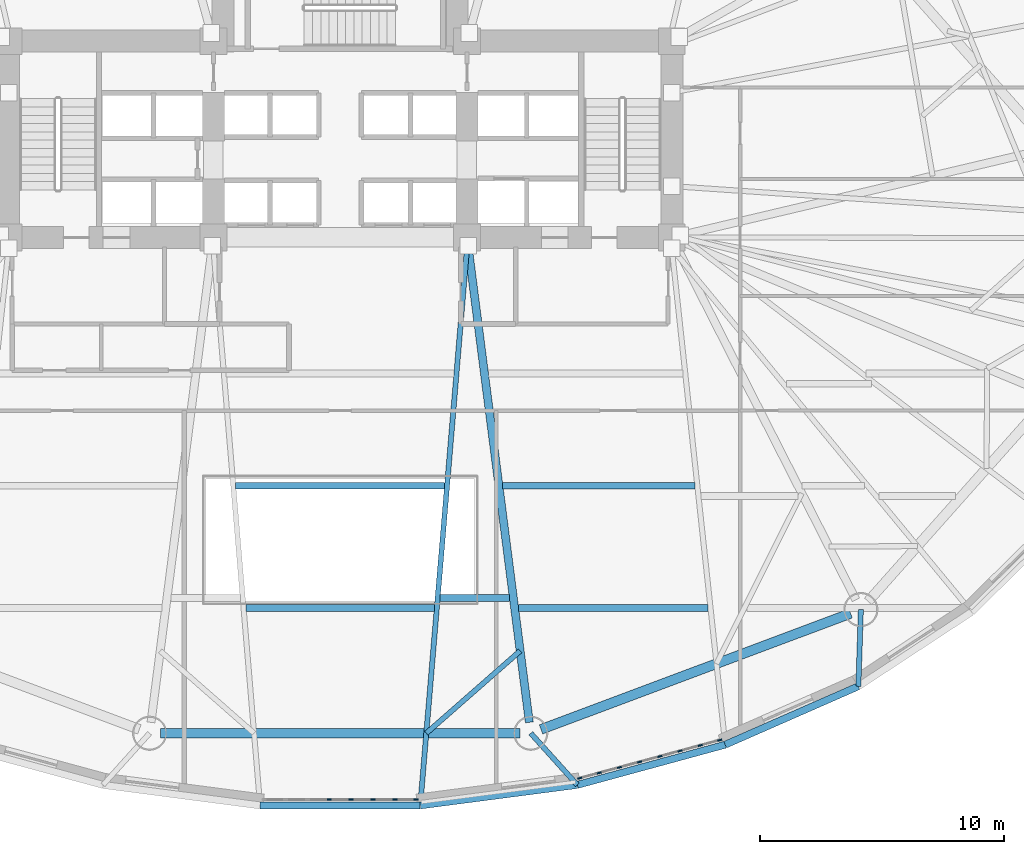
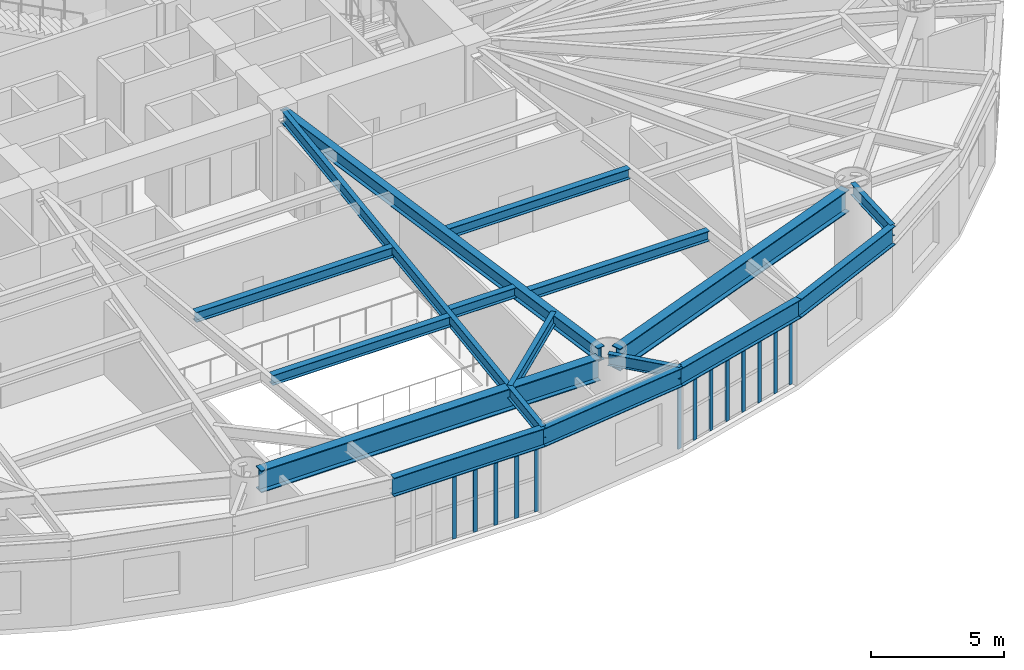
# One storey, part 4 of 19: 16 beams, 13 members, 2 elements without a shape of their own.
"""IFC4 building model written with IfcOpenShell, lengths in metres."""

from ifc_helpers import new_model, si_unit, direction, frame, origin, origin_2d, place, context, subcontext, project, spatial, rectangle, i_section, extrude, material, layer, layer_set, material_profile, profile_set, type_object, element, aggregate, save


model = new_model("IFC4")

# Units and contexts
model_context = context("Model", 3, precision=1e-05, world=origin(), true_north=direction((0.0, 1.0)))
body_context = subcontext(model_context, "Body", "Model", "MODEL_VIEW")
ifc_project = project(units=[si_unit("LENGTHUNIT", "METRE"), si_unit("AREAUNIT", "SQUARE_METRE"), si_unit("VOLUMEUNIT", "CUBIC_METRE"), si_unit("PLANEANGLEUNIT", "RADIAN"), si_unit("MASSUNIT", "GRAM", prefix="KILO")], contexts=[model_context])

# Site, building, storey
site_placement = place(None, origin())
site = spatial("IfcSite", under=ifc_project, at=site_placement, CompositionType="ELEMENT")
building_placement = place(site_placement, origin())
building = spatial("IfcBuilding", under=site, at=building_placement, Name="Keldmark Tower", CompositionType="ELEMENT")
storey_placement = place(building_placement, frame((0.0, 0.0, 10.199951171875)))
storey = spatial("IfcBuildingStorey", under=building, at=storey_placement, Name="L02", CompositionType="ELEMENT", Elevation=10.199951171875)

# Beams
ifc_material_1 = material(Name="Steel ASTM A992 Grade 50", Category="steel")
ifc_material_profile_1 = material_profile(ifc_material_1, i_section(OverallWidth=0.280029296875, OverallDepth=0.462890625, WebThickness=0.0107421875, FlangeThickness=0.017333984375, at=origin_2d()), Name="W18X76")
ifc_profile_set_1 = profile_set([ifc_material_profile_1], Name="Steel ASTM A992 Grade 50")
beam_type_1 = type_object("IfcBeamType", Name="Composite Floor Joist W18X76", PredefinedType="JOIST", material=ifc_profile_set_1)
beam_1_placement = place(storey_placement, frame((-3.8662109375, -13.800048828125, 3.74853515625), z_axis=(1.0, 0.0, 0.0), x_axis=(0.0, 1.0, 0.0)))
element("IfcBeam", 1, at=beam_1_placement, inside=storey, type_object=beam_type_1, Name="L02 Composite Floor Joist J04", PredefinedType="JOIST", context=body_context, shape_type="SweptSolid", body=[
    extrude(i_section(OverallWidth=0.280029296875, OverallDepth=0.462890625, WebThickness=0.0107421875, FlangeThickness=0.017333984375, at=origin_2d()), origin(), (0.0, 0.0, 1.0), 7.732421875),
])
beam_2_placement = place(storey_placement, frame((4.09423828125, -13.3798828125, 3.74853515625), z_axis=(1.0, 0.0, 0.0), x_axis=(0.0, 1.0, 0.0)))
element("IfcBeam", 2, at=beam_2_placement, inside=storey, type_object=beam_type_1, Name="L02 Composite Floor Joist J05", PredefinedType="JOIST", context=body_context, shape_type="SweptSolid", body=[
    extrude(i_section(OverallWidth=0.280029296875, OverallDepth=0.462890625, WebThickness=0.0107421875, FlangeThickness=0.017333984375, at=origin_2d()), origin(), (0.0, 0.0, 1.0), 2.851806640625),
])
beam_3_placement = place(storey_placement, frame((7.311767578125, -13.800048828125, 3.74853515625), z_axis=(1.0, 0.0, 0.0), x_axis=(0.0, 1.0, 0.0)))
element("IfcBeam", 3, at=beam_3_placement, inside=storey, type_object=beam_type_1, Name="L02 Composite Floor Joist J06", PredefinedType="JOIST", context=body_context, shape_type="SweptSolid", body=[
    extrude(i_section(OverallWidth=0.280029296875, OverallDepth=0.462890625, WebThickness=0.0107421875, FlangeThickness=0.017333984375, at=origin_2d()), origin(), (0.0, 0.0, 1.0), 7.780029296875),
])
beam_4_placement = place(storey_placement, frame((-4.287353515625, -8.780029296875, 3.74853515625), z_axis=(1.0, 0.0, 0.0), x_axis=(0.0, 1.0, 0.0)))
element("IfcBeam", 4, at=beam_4_placement, inside=storey, type_object=beam_type_1, Name="L02 Composite Floor Joist J12", PredefinedType="JOIST", context=body_context, shape_type="SweptSolid", body=[
    extrude(i_section(OverallWidth=0.280029296875, OverallDepth=0.462890625, WebThickness=0.0107421875, FlangeThickness=0.017333984375, at=origin_2d()), origin(), (0.0, 0.0, 1.0), 8.57470703125),
])
beam_5_placement = place(storey_placement, frame((6.665771484375, -8.780029296875, 3.74853515625), z_axis=(1.0, 0.0, 0.0), x_axis=(0.0, 1.0, 0.0)))
element("IfcBeam", 5, at=beam_5_placement, inside=storey, type_object=beam_type_1, Name="L02 Composite Floor Joist J13", PredefinedType="JOIST", context=body_context, shape_type="SweptSolid", body=[
    extrude(i_section(OverallWidth=0.280029296875, OverallDepth=0.462890625, WebThickness=0.0107421875, FlangeThickness=0.017333984375, at=origin_2d()), origin(), (0.0, 0.0, 1.0), 7.885498046875),
])

# Curtain wall, members
ifc_material_2 = material(Name="Unitized Thermally Broken Aluminum and Triple Low-E Glazing", Category="aluminium")
ifc_layer = layer(ifc_material_2, 0.219970703125)
ifc_layer_set = layer_set([ifc_layer], Name="Unitized Thermally Broken Aluminum and Triple Low-E Glazing")
curtain_wall_type = type_object("IfcCurtainWallType", Name="Podium Wintergarden Curtain Wall System", PredefinedType="NOTDEFINED", material=ifc_layer_set)
curtain_wall_1_placement = place(storey_placement, origin())
curtain_wall_1 = element("IfcCurtainWall", 6, at=curtain_wall_1_placement, inside=storey, type_object=curtain_wall_type, Name="L02 Podium Wintergarden Curtain Wall System CW-L02-24", PredefinedType="NOTDEFINED")
ifc_material_3 = material(Name="Extruded Aluminum Alloy 6063-T6", Category="aluminium")
ifc_material_profile_2 = material_profile(ifc_material_3, rectangle(XDim=0.06005859375, YDim=0.179931640625, at=origin_2d()), Name="CWM60X180")
ifc_profile_set_2 = profile_set([ifc_material_profile_2], Name="Extruded Aluminum Alloy 6063-T6")
member_type = type_object("IfcMemberType", Name="Curtain Wall Structural Mullion 60x180", PredefinedType="MULLION", material=ifc_profile_set_2)
member_1_placement = place(storey_placement, frame((3.113525390625, -21.654052734375, 0.0), z_axis=(0.0, 0.0, 1.0), x_axis=(0.0, -1.0, 0.0)))
member_1 = element("IfcMember", 7, at=member_1_placement, type_object=member_type, Name="CW mullion 1", PredefinedType="MULLION", context=body_context, shape_type="SweptSolid", body=[
    extrude(rectangle(XDim=0.06005859375, YDim=0.179931640625, at=origin_2d()), origin(), (0.0, 0.0, 1.0), 3.109130859375),
])
member_2_placement = place(storey_placement, frame((2.245361328125, -21.654052734375, 0.0), z_axis=(0.0, 0.0, 1.0), x_axis=(0.0, -1.0, 0.0)))
member_2 = element("IfcMember", 8, at=member_2_placement, type_object=member_type, Name="CW mullion 2", PredefinedType="MULLION", context=body_context, shape_type="SweptSolid", body=[
    extrude(rectangle(XDim=0.06005859375, YDim=0.179931640625, at=origin_2d()), origin(), (0.0, 0.0, 1.0), 3.109130859375),
])
member_3_placement = place(storey_placement, frame((1.34716796875, -21.654052734375, 0.0), z_axis=(0.0, 0.0, 1.0), x_axis=(0.0, -1.0, 0.0)))
member_3 = element("IfcMember", 9, at=member_3_placement, type_object=member_type, Name="CW mullion 3", PredefinedType="MULLION", context=body_context, shape_type="SweptSolid", body=[
    extrude(rectangle(XDim=0.06005859375, YDim=0.179931640625, at=origin_2d()), origin(), (0.0, 0.0, 1.0), 3.109130859375),
])
member_4_placement = place(storey_placement, frame((0.448974609375, -21.654052734375, 0.0), z_axis=(0.0, 0.0, 1.0), x_axis=(0.0, -1.0, 0.0)))
member_4 = element("IfcMember", 10, at=member_4_placement, type_object=member_type, Name="CW mullion 4", PredefinedType="MULLION", context=body_context, shape_type="SweptSolid", body=[
    extrude(rectangle(XDim=0.06005859375, YDim=0.179931640625, at=origin_2d()), origin(), (0.0, 0.0, 1.0), 3.109130859375),
])
member_5_placement = place(storey_placement, frame((-0.448974609375, -21.654052734375, 0.0), z_axis=(0.0, 0.0, 1.0), x_axis=(0.0, -1.0, 0.0)))
member_5 = element("IfcMember", 11, at=member_5_placement, type_object=member_type, Name="CW mullion 5", PredefinedType="MULLION", context=body_context, shape_type="SweptSolid", body=[
    extrude(rectangle(XDim=0.06005859375, YDim=0.179931640625, at=origin_2d()), origin(), (0.0, 0.0, 1.0), 3.109130859375),
])
aggregate(curtain_wall_1, [member_1, member_2, member_3, member_4, member_5])

curtain_wall_2_placement = place(storey_placement, origin())
curtain_wall_2 = element("IfcCurtainWall", 12, at=curtain_wall_2_placement, inside=storey, type_object=curtain_wall_type, Name="L02 Podium Wintergarden Curtain Wall System CW-L02-26", PredefinedType="NOTDEFINED")
member_6_placement = place(storey_placement, frame((15.564697265625, -19.21533203125, 0.0), z_axis=(0.0, 0.0, 1.0), x_axis=(0.262493415157, -0.964933783738, 0.0)))
member_6 = element("IfcMember", 13, at=member_6_placement, type_object=member_type, Name="CW mullion 1", PredefinedType="MULLION", context=body_context, shape_type="SweptSolid", body=[
    extrude(rectangle(XDim=0.06005859375, YDim=0.179931640625, at=origin_2d()), origin(), (0.0, 0.0, 1.0), 3.109130859375),
])
member_7_placement = place(storey_placement, frame((14.765625, -19.4326171875, 0.0), z_axis=(0.0, 0.0, 1.0), x_axis=(0.262493415157, -0.964933783738, 0.0)))
member_7 = element("IfcMember", 14, at=member_7_placement, type_object=member_type, Name="CW mullion 2", PredefinedType="MULLION", context=body_context, shape_type="SweptSolid", body=[
    extrude(rectangle(XDim=0.06005859375, YDim=0.179931640625, at=origin_2d()), origin(), (0.0, 0.0, 1.0), 3.109130859375),
])
member_8_placement = place(storey_placement, frame((13.9375, -19.657958984375, 0.0), z_axis=(0.0, 0.0, 1.0), x_axis=(0.262493415157, -0.964933783738, 0.0)))
member_8 = element("IfcMember", 15, at=member_8_placement, type_object=member_type, Name="CW mullion 3", PredefinedType="MULLION", context=body_context, shape_type="SweptSolid", body=[
    extrude(rectangle(XDim=0.06005859375, YDim=0.179931640625, at=origin_2d()), origin(), (0.0, 0.0, 1.0), 3.109130859375),
])
member_9_placement = place(storey_placement, frame((13.109130859375, -19.88330078125, 0.0), z_axis=(0.0, 0.0, 1.0), x_axis=(0.262493415157, -0.964933783738, 0.0)))
member_9 = element("IfcMember", 16, at=member_9_placement, type_object=member_type, Name="CW mullion 4", PredefinedType="MULLION", context=body_context, shape_type="SweptSolid", body=[
    extrude(rectangle(XDim=0.06005859375, YDim=0.179931640625, at=origin_2d()), origin(), (0.0, 0.0, 1.0), 3.109130859375),
])
member_10_placement = place(storey_placement, frame((12.281005859375, -20.108642578125, 0.0), z_axis=(0.0, 0.0, 1.0), x_axis=(0.262493415157, -0.964933783738, 0.0)))
member_10 = element("IfcMember", 17, at=member_10_placement, type_object=member_type, Name="CW mullion 5", PredefinedType="MULLION", context=body_context, shape_type="SweptSolid", body=[
    extrude(rectangle(XDim=0.06005859375, YDim=0.179931640625, at=origin_2d()), origin(), (0.0, 0.0, 1.0), 3.109130859375),
])
member_11_placement = place(storey_placement, frame((11.452880859375, -20.333740234375, 0.0), z_axis=(0.0, 0.0, 1.0), x_axis=(0.262493415157, -0.964933783738, 0.0)))
member_11 = element("IfcMember", 18, at=member_11_placement, type_object=member_type, Name="CW mullion 6", PredefinedType="MULLION", context=body_context, shape_type="SweptSolid", body=[
    extrude(rectangle(XDim=0.06005859375, YDim=0.179931640625, at=origin_2d()), origin(), (0.0, 0.0, 1.0), 3.109130859375),
])
member_12_placement = place(storey_placement, frame((10.624755859375, -20.55908203125, 0.0), z_axis=(0.0, 0.0, 1.0), x_axis=(0.262493415157, -0.964933783738, 0.0)))
member_12 = element("IfcMember", 19, at=member_12_placement, type_object=member_type, Name="CW mullion 7", PredefinedType="MULLION", context=body_context, shape_type="SweptSolid", body=[
    extrude(rectangle(XDim=0.06005859375, YDim=0.179931640625, at=origin_2d()), origin(), (0.0, 0.0, 1.0), 3.109130859375),
])
member_13_placement = place(storey_placement, frame((9.825439453125, -20.776611328125, 0.0), z_axis=(0.0, 0.0, 1.0), x_axis=(0.262493415157, -0.964933783738, 0.0)))
member_13 = element("IfcMember", 20, at=member_13_placement, type_object=member_type, Name="CW mullion 8", PredefinedType="MULLION", context=body_context, shape_type="SweptSolid", body=[
    extrude(rectangle(XDim=0.06005859375, YDim=0.179931640625, at=origin_2d()), origin(), (0.0, 0.0, 1.0), 3.109130859375),
])
aggregate(curtain_wall_2, [member_6, member_7, member_8, member_9, member_10, member_11, member_12, member_13])

# Beams
ifc_material_4 = material(Name="Steel ASTM A992 Grade 50", Category="steel")
ifc_material_profile_3 = material_profile(ifc_material_4, i_section(OverallWidth=0.402099609375, OverallDepth=1.011962890625, WebThickness=0.023681640625, FlangeThickness=0.0419921875, at=origin_2d()), Name="W40X297")
ifc_profile_set_3 = profile_set([ifc_material_profile_3], Name="Steel ASTM A992 Grade 50")
beam_type_2 = type_object("IfcBeamType", Name="Podium Primary Girder W40X297", PredefinedType="BEAM", material=ifc_profile_set_3)
beam_6_placement = place(storey_placement, frame((-7.3662109375, -18.93212890625, 3.47412109375), z_axis=(1.0, 0.0, 0.0), x_axis=(0.0, 1.0, 0.0)))
element("IfcBeam", 21, at=beam_6_placement, inside=storey, type_object=beam_type_2, Name="L02 Podium Ring Girder PG-R09", PredefinedType="BEAM", context=body_context, shape_type="SweptSolid", body=[
    extrude(i_section(OverallWidth=0.402099609375, OverallDepth=1.011962890625, WebThickness=0.023681640625, FlangeThickness=0.0419921875, at=origin_2d()), origin(), (0.0, 0.0, 1.0), 14.732421875),
])
beam_7_placement = place(storey_placement, frame((8.23779296875, -18.774169921875, 3.47412109375), z_axis=(0.936417954382, 0.350886612329, 0.0), x_axis=(-0.350886612329, 0.936417954382, 0.0)))
element("IfcBeam", 22, at=beam_7_placement, inside=storey, type_object=beam_type_2, Name="L02 Podium Ring Girder PG-R10", PredefinedType="BEAM", context=body_context, shape_type="SweptSolid", body=[
    extrude(i_section(OverallWidth=0.402099609375, OverallDepth=1.011962890625, WebThickness=0.023681640625, FlangeThickness=0.0419921875, at=origin_2d()), origin(), (0.0, 0.0, 1.0), 13.557373046875),
])
ifc_material_5 = material(Name="Steel ASTM A992 Grade 50", Category="steel")
ifc_material_profile_4 = material_profile(ifc_material_5, i_section(OverallWidth=0.2099609375, OverallDepth=0.537109375, WebThickness=0.010986328125, FlangeThickness=0.017333984375, at=origin_2d()), Name="W21X68")
ifc_profile_set_4 = profile_set([ifc_material_profile_4], Name="Steel ASTM A992 Grade 50")
beam_type_3 = type_object("IfcBeamType", Name="Radial Tie Girder W21X68", PredefinedType="BEAM", material=ifc_profile_set_4)
beam_8_placement = place(storey_placement, frame((7.3818359375, -15.554931640625, 3.711669921875), z_axis=(-0.751746259669, -0.659452470671, 0.0), x_axis=(0.659452470671, -0.751746259669, 0.0)))
element("IfcBeam", 23, at=beam_8_placement, inside=storey, type_object=beam_type_3, Name="L02 Framing Pin Header PH-023", PredefinedType="BEAM", context=body_context, shape_type="SweptSolid", body=[
    extrude(i_section(OverallWidth=0.2099609375, OverallDepth=0.537109375, WebThickness=0.010986328125, FlangeThickness=0.017333984375, at=origin_2d()), origin(), (0.0, 0.0, 1.0), 5.12109375),
])
beam_9_placement = place(storey_placement, frame((5.199951171875, 0.949951171875, 3.711669921875), z_axis=(-0.083591035889, -0.996500144867, 0.0), x_axis=(0.996500144867, -0.083591035889, 0.0)))
element("IfcBeam", 24, at=beam_9_placement, inside=storey, type_object=beam_type_3, Name="L02 Perimeter Radial Tie Girder RT-25", PredefinedType="BEAM", context=body_context, shape_type="SweptSolid", body=[
    extrude(i_section(OverallWidth=0.2099609375, OverallDepth=0.537109375, WebThickness=0.010986328125, FlangeThickness=0.017333984375, at=origin_2d()), origin(), (0.0, 0.0, 1.0), 22.92431640625),
])
beam_10_placement = place(storey_placement, frame((7.81640625, -18.93212890625, 3.711669921875), z_axis=(0.668898533975, -0.743353718795, 0.0), x_axis=(0.743353718795, 0.668898533975, 0.0)))
element("IfcBeam", 25, at=beam_10_placement, inside=storey, type_object=beam_type_3, Name="L02 Perimeter Column Bracket RT-26", PredefinedType="BEAM", context=body_context, shape_type="SweptSolid", body=[
    extrude(i_section(OverallWidth=0.2099609375, OverallDepth=0.537109375, WebThickness=0.010986328125, FlangeThickness=0.017333984375, at=origin_2d()), origin(), (0.0, 0.0, 1.0), 2.852783203125),
])
beam_11_placement = place(storey_placement, frame((21.3544921875, -13.859375, 3.711669921875), z_axis=(-0.032491176768, -0.999472022336, 0.0), x_axis=(0.999472022336, -0.032491176768, 0.0)))
element("IfcBeam", 26, at=beam_11_placement, inside=storey, type_object=beam_type_3, Name="L02 Perimeter Column Bracket RT-28", PredefinedType="BEAM", context=body_context, shape_type="SweptSolid", body=[
    extrude(i_section(OverallWidth=0.2099609375, OverallDepth=0.537109375, WebThickness=0.010986328125, FlangeThickness=0.017333984375, at=origin_2d()), origin(), (0.0, 0.0, 1.0), 3.1484375),
])
ifc_material_6 = material(Name="Steel ASTM A992 Grade 50", Category="steel")
ifc_material_profile_5 = material_profile(ifc_material_6, i_section(OverallWidth=0.326904296875, OverallDepth=0.6220703125, WebThickness=0.015380859375, FlangeThickness=0.0244140625, at=origin_2d()), Name="W24X131")
ifc_profile_set_5 = profile_set([ifc_material_profile_5], Name="Steel ASTM A992 Grade 50")
beam_type_4 = type_object("IfcBeamType", Name="Spandrel Ring Beam W24X131", PredefinedType="SPANDREL", material=ifc_profile_set_5)
beam_12_placement = place(storey_placement, frame((7.7587890625, -18.48583984375, 3.6689453125), z_axis=(-0.127622930912, 0.991822760127, 0.0), x_axis=(-0.991822760127, -0.127622930912, 0.0)))
element("IfcBeam", 27, at=beam_12_placement, inside=storey, type_object=beam_type_4, Name="L02 Podium Radial Girder PG-C10", PredefinedType="SPANDREL", context=body_context, shape_type="SweptSolid", body=[
    extrude(i_section(OverallWidth=0.326904296875, OverallDepth=0.6220703125, WebThickness=0.015380859375, FlangeThickness=0.0244140625, at=origin_2d()), origin(), (0.0, 0.0, 1.0), 19.699951171875),
])
ifc_material_7 = material(Name="Steel ASTM A992 Grade 50", Category="steel")
ifc_material_profile_6 = material_profile(ifc_material_7, i_section(OverallWidth=0.2919921875, OverallDepth=0.85888671875, WebThickness=0.01708984375, FlangeThickness=0.031005859375, at=origin_2d()), Name="W33X169")
ifc_profile_set_6 = profile_set([ifc_material_profile_6], Name="Steel ASTM A992 Grade 50")
beam_type_5 = type_object("IfcBeamType", Name="Spandrel Ring Beam W33X169", PredefinedType="SPANDREL", material=ifc_profile_set_6)
beam_13_placement = place(storey_placement, frame((-3.28369140625, -21.89404296875, 3.550537109375), z_axis=(1.0, 0.0, 0.0), x_axis=(0.0, 1.0, 0.0)))
element("IfcBeam", 28, at=beam_13_placement, inside=storey, type_object=beam_type_5, Name="L02 Perimeter Spandrel Ring Beam SRB-24", PredefinedType="SPANDREL", context=body_context, shape_type="SweptSolid", body=[
    extrude(i_section(OverallWidth=0.2919921875, OverallDepth=0.85888671875, WebThickness=0.01708984375, FlangeThickness=0.031005859375, at=origin_2d()), origin(), (0.0, 0.0, 1.0), 6.5673828125),
])
beam_14_placement = place(storey_placement, frame((3.28369140625, -21.89404296875, 3.550537109375), z_axis=(0.991576921472, 0.129519144545, 0.0), x_axis=(-0.129519144545, 0.991576921472, 0.0)))
element("IfcBeam", 29, at=beam_14_placement, inside=storey, type_object=beam_type_5, Name="L02 Perimeter Spandrel Ring Beam SRB-25", PredefinedType="SPANDREL", context=body_context, shape_type="SweptSolid", body=[
    extrude(i_section(OverallWidth=0.2919921875, OverallDepth=0.85888671875, WebThickness=0.01708984375, FlangeThickness=0.031005859375, at=origin_2d()), origin(), (0.0, 0.0, 1.0), 6.49560546875),
])
beam_15_placement = place(storey_placement, frame((9.724609375, -21.052734375, 3.550537109375), z_axis=(0.964936550718, 0.262483243445, 0.0), x_axis=(-0.262483243445, 0.964936550718, 0.0)))
element("IfcBeam", 30, at=beam_15_placement, inside=storey, type_object=beam_type_5, Name="L02 Perimeter Spandrel Ring Beam SRB-26", PredefinedType="SPANDREL", context=body_context, shape_type="SweptSolid", body=[
    extrude(i_section(OverallWidth=0.2919921875, OverallDepth=0.85888671875, WebThickness=0.01708984375, FlangeThickness=0.031005859375, at=origin_2d()), origin(), (0.0, 0.0, 1.0), 6.28759765625),
])
beam_16_placement = place(storey_placement, frame((15.791748046875, -19.40234375, 3.550537109375), z_axis=(0.91570760638, 0.401845218484, 0.0), x_axis=(-0.401845218484, 0.91570760638, 0.0)))
element("IfcBeam", 31, at=beam_16_placement, inside=storey, type_object=beam_type_5, Name="L02 Perimeter Spandrel Ring Beam SRB-27", PredefinedType="SPANDREL", context=body_context, shape_type="SweptSolid", body=[
    extrude(i_section(OverallWidth=0.2919921875, OverallDepth=0.85888671875, WebThickness=0.01708984375, FlangeThickness=0.031005859375, at=origin_2d()), origin(), (0.0, 0.0, 1.0), 5.963134765625),
])

save(model, "model.ifc")
